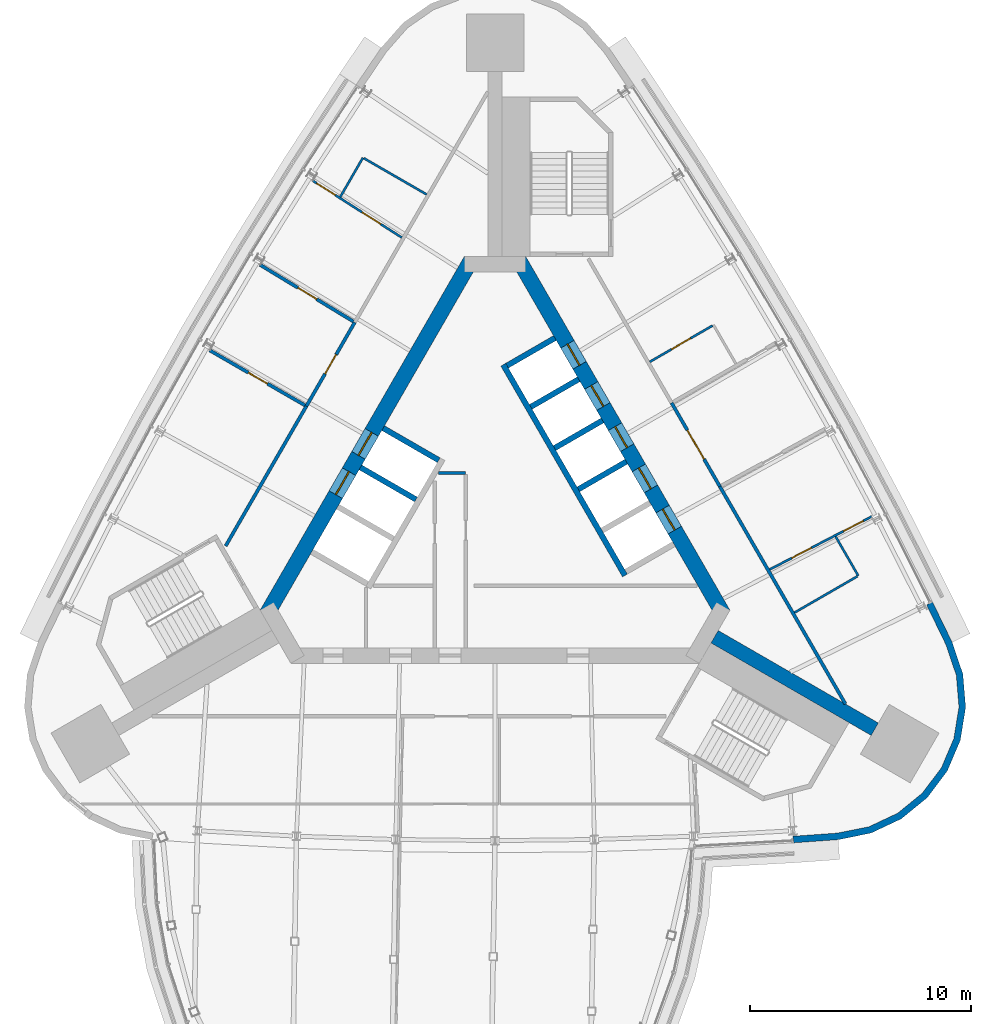
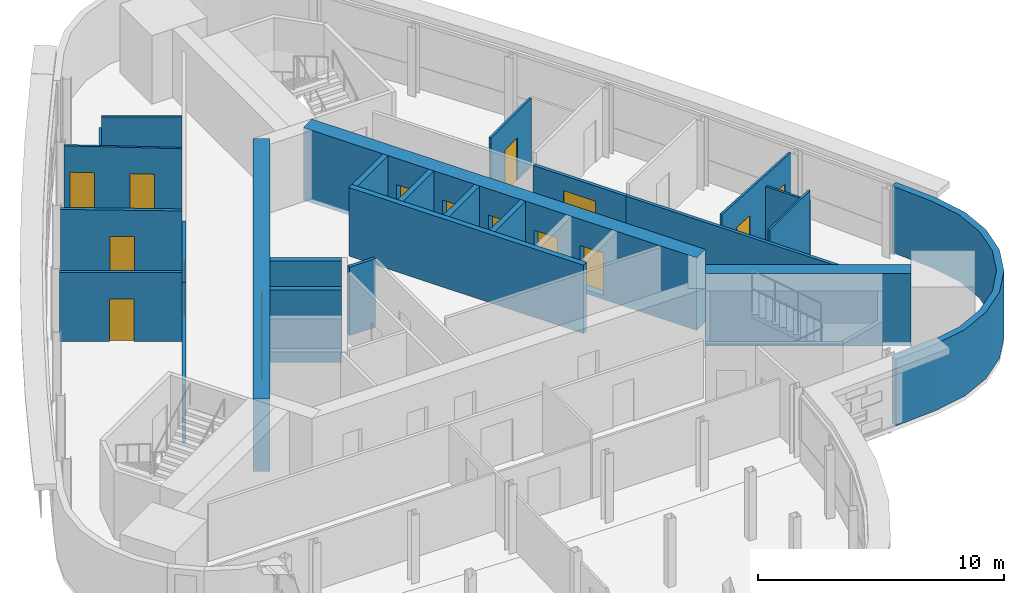
# One storey, part 10 of 14: 25 walls, 16 doors, 16 openings.
"""IFC4 building model written with IfcOpenShell, lengths in metres."""

from ifc_helpers import new_model, si_unit, direction, frame, frame_2d, origin, place, context, subcontext, project, spatial, polyline, rectangle, outline, extrude, material, layer, layer_set, type_object, element, fill, save


model = new_model("IFC4")

# Units and contexts
model_context = context("Model", 3, precision=1e-05, world=origin(), true_north=direction((0.0, 1.0)))
body_context = subcontext(model_context, "Body", "Model", "MODEL_VIEW")
ifc_project = project(units=[si_unit("LENGTHUNIT", "METRE"), si_unit("AREAUNIT", "SQUARE_METRE"), si_unit("VOLUMEUNIT", "CUBIC_METRE"), si_unit("PLANEANGLEUNIT", "RADIAN"), si_unit("MASSUNIT", "GRAM", prefix="KILO")], contexts=[model_context])

# Site, building, storey
site_placement = place(None, origin())
site = spatial("IfcSite", under=ifc_project, at=site_placement, CompositionType="ELEMENT")
building_placement = place(site_placement, origin())
building = spatial("IfcBuilding", under=site, at=building_placement, Name="Noor Cloister Tower", CompositionType="ELEMENT")
storey_placement = place(building_placement, frame((0.0, 0.0, 218.39990234375)))
storey = spatial("IfcBuildingStorey", under=building, at=storey_placement, Name="L56", CompositionType="ELEMENT", Elevation=218.39990234375)

# Walls
ifc_material_1 = material(Name="Concrete C60/75", Category="concrete")
ifc_layer_1 = layer(ifc_material_1, 0.64990234375)
ifc_layer_set_1 = layer_set([ifc_layer_1], Name="Buttress wall 650 C60/75")
wall_type_1 = type_object("IfcWallType", Name="Buttress wall 650 C60/75", PredefinedType="SHEAR", material=ifc_layer_set_1)
wall_1_placement = place(storey_placement, frame((9.921630859375, -5.728271484375, -0.199951171875), z_axis=(0.0, 0.0, 1.0), x_axis=(0.866030911543, -0.499990460161, 0.0)))
element("IfcWall", 1, at=wall_1_placement, inside=storey, type_object=wall_type_1, Name="Buttress wall SE L56", PredefinedType="SHEAR", context=body_context, shape_type="SweptSolid", body=[
    extrude(rectangle(XDim=8.358642578125, YDim=0.64990234375, at=frame_2d((4.17919921875, 0.0))), origin(), (0.0, 0.0, 1.0), 3.60009765625),
])
ifc_material_2 = material(Name="Concrete C30/37", Category="concrete")
ifc_layer_2 = layer(ifc_material_2, 0.14990234375)
ifc_layer_set_2 = layer_set([ifc_layer_2], Name="Core partition 150 C30/37")
wall_type_2 = type_object("IfcWallType", Name="Core partition 150 C30/37", PredefinedType="PARTITIONING", material=ifc_layer_set_2)
wall_2_placement = place(storey_placement, frame((-2.544189453125, 1.671875, 0.0), z_axis=(0.0, 0.0, 1.0), x_axis=(1.0, 0.0, 0.0)))
element("IfcWall", 2, at=wall_2_placement, inside=storey, type_object=wall_type_2, Name="Core room partition L56 4", PredefinedType="PARTITIONING", context=body_context, shape_type="SweptSolid", body=[
    extrude(rectangle(XDim=1.215576171875, YDim=0.14990234375, at=frame_2d((0.60791015625, 0.0))), origin(), (0.0, 0.0, 1.0), 3.400146484375),
])

# Wall, openings, doors
ifc_material_3 = material(Name="Concrete C60/75", Category="concrete")
ifc_layer_3 = layer(ifc_material_3, 0.699951171875)
ifc_layer_set_3 = layer_set([ifc_layer_3], Name="Core wall 700 C60/75")
wall_type_3 = type_object("IfcWallType", Name="Core wall 700 C60/75", PredefinedType="SHEAR", material=ifc_layer_set_3)
wall_3_placement = place(storey_placement, frame((10.311279296875, -4.703125, -0.199951171875), z_axis=(0.0, 0.0, 1.0), x_axis=(-0.500001446645, 0.866024568562, 0.0)))
wall_3 = element("IfcWall", 3, at=wall_3_placement, inside=storey, type_object=wall_type_3, Name="Core wall L56 3", PredefinedType="SHEAR", context=body_context, shape_type="SweptSolid", body=[
    extrude(rectangle(XDim=18.45751953125, YDim=0.699951171875, at=frame_2d((9.228759765625, 0.0))), origin(), (0.0, 0.0, 1.0), 3.60009765625),
])
opening_1_placement = place(wall_3_placement, frame((4.378662109375, 0.0, 0.199951171875)))
opening_1 = element("IfcOpeningElement", 4, at=opening_1_placement, cuts=wall_3, Name="Opening L56-HR1", PredefinedType="OPENING", context=body_context, shape_type="SweptSolid", body=[
    extrude(rectangle(XDim=1.10009765625, YDim=2.10009765625, at=frame_2d((0.550048828125, 1.050048828125))), frame((0.0, 0.35986328125, 0.0), z_axis=(0.0, -1.0, 0.0), x_axis=(1.0, 0.0, 0.0)), (0.0, 0.0, 1.0), 0.719970703125),
])
opening_2_placement = place(wall_3_placement, frame((6.52880859375, 0.0, 0.199951171875)))
opening_2 = element("IfcOpeningElement", 5, at=opening_2_placement, cuts=wall_3, Name="Opening L56-HR2", PredefinedType="OPENING", context=body_context, shape_type="SweptSolid", body=[
    extrude(rectangle(XDim=1.10009765625, YDim=2.10009765625, at=frame_2d((0.550048828125, 1.050048828125))), frame((0.0, 0.35986328125, 0.0), z_axis=(0.0, -1.0, 0.0), x_axis=(1.0, 0.0, 0.0)), (0.0, 0.0, 1.0), 0.719970703125),
])
opening_3_placement = place(wall_3_placement, frame((8.6787109375, 0.0, 0.199951171875)))
opening_3 = element("IfcOpeningElement", 6, at=opening_3_placement, cuts=wall_3, Name="Opening L56-HR3", PredefinedType="OPENING", context=body_context, shape_type="SweptSolid", body=[
    extrude(rectangle(XDim=1.10009765625, YDim=2.10009765625, at=frame_2d((0.550048828125, 1.050048828125))), frame((0.0, 0.35986328125, 0.0), z_axis=(0.0, -1.0, 0.0), x_axis=(1.0, 0.0, 0.0)), (0.0, 0.0, 1.0), 0.719970703125),
])
opening_4_placement = place(wall_3_placement, frame((10.82861328125, 0.0, 0.199951171875)))
opening_4 = element("IfcOpeningElement", 7, at=opening_4_placement, cuts=wall_3, Name="Opening L56-HR4", PredefinedType="OPENING", context=body_context, shape_type="SweptSolid", body=[
    extrude(rectangle(XDim=1.10009765625, YDim=2.10009765625, at=frame_2d((0.550048828125, 1.050048828125))), frame((0.0, 0.35986328125, 0.0), z_axis=(0.0, -1.0, 0.0), x_axis=(1.0, 0.0, 0.0)), (0.0, 0.0, 1.0), 0.719970703125),
])
opening_5_placement = place(wall_3_placement, frame((12.978759765625, 0.0, 0.199951171875)))
opening_5 = element("IfcOpeningElement", 8, at=opening_5_placement, cuts=wall_3, Name="Opening L56-HR5", PredefinedType="OPENING", context=body_context, shape_type="SweptSolid", body=[
    extrude(rectangle(XDim=1.10009765625, YDim=2.10009765625, at=frame_2d((0.550048828125, 1.050048828125))), frame((0.0, 0.35986328125, 0.0), z_axis=(0.0, -1.0, 0.0), x_axis=(1.0, 0.0, 0.0)), (0.0, 0.0, 1.0), 0.719970703125),
])
ifc_material_4 = material(Name="Stainless steel", Category="steel")
door_type_1 = type_object("IfcDoorType", Name="Lift landing door 1100 x 2100", OperationType="DOUBLE_DOOR_SLIDING", PredefinedType="DOOR", material=ifc_material_4)
door_1_placement = place(opening_1_placement, origin())
door_1 = element("IfcDoor", 9, at=door_1_placement, inside=storey, type_object=door_type_1, Name="Landing door HR1 L56", OperationType="DOUBLE_DOOR_SLIDING", OverallHeight=2.10009765625, OverallWidth=1.10009765625, PredefinedType="DOOR", context=body_context, shape_type="SweptSolid", body=[
    extrude(rectangle(XDim=1.10009765625, YDim=2.10009765625, at=frame_2d((0.550048828125, 1.050048828125))), frame((0.0, 0.02490234375, 0.0), z_axis=(0.0, -1.0, 0.0), x_axis=(1.0, 0.0, 0.0)), (0.0, 0.0, 1.0), 0.050048828125),
])
fill(opening_1, door_1)
door_2_placement = place(opening_2_placement, origin())
door_2 = element("IfcDoor", 10, at=door_2_placement, inside=storey, type_object=door_type_1, Name="Landing door HR2 L56", OperationType="DOUBLE_DOOR_SLIDING", OverallHeight=2.10009765625, OverallWidth=1.10009765625, PredefinedType="DOOR", context=body_context, shape_type="SweptSolid", body=[
    extrude(rectangle(XDim=1.10009765625, YDim=2.10009765625, at=frame_2d((0.550048828125, 1.050048828125))), frame((0.0, 0.02490234375, 0.0), z_axis=(0.0, -1.0, 0.0), x_axis=(1.0, 0.0, 0.0)), (0.0, 0.0, 1.0), 0.050048828125),
])
fill(opening_2, door_2)
door_3_placement = place(opening_3_placement, origin())
door_3 = element("IfcDoor", 11, at=door_3_placement, inside=storey, type_object=door_type_1, Name="Landing door HR3 L56", OperationType="DOUBLE_DOOR_SLIDING", OverallHeight=2.10009765625, OverallWidth=1.10009765625, PredefinedType="DOOR", context=body_context, shape_type="SweptSolid", body=[
    extrude(rectangle(XDim=1.10009765625, YDim=2.10009765625, at=frame_2d((0.550048828125, 1.050048828125))), frame((0.0, 0.02490234375, 0.0), z_axis=(0.0, -1.0, 0.0), x_axis=(1.0, 0.0, 0.0)), (0.0, 0.0, 1.0), 0.050048828125),
])
fill(opening_3, door_3)
door_4_placement = place(opening_4_placement, origin())
door_4 = element("IfcDoor", 12, at=door_4_placement, inside=storey, type_object=door_type_1, Name="Landing door HR4 L56", OperationType="DOUBLE_DOOR_SLIDING", OverallHeight=2.10009765625, OverallWidth=1.10009765625, PredefinedType="DOOR", context=body_context, shape_type="SweptSolid", body=[
    extrude(rectangle(XDim=1.10009765625, YDim=2.10009765625, at=frame_2d((0.550048828125, 1.050048828125))), frame((0.0, 0.02490234375, 0.0), z_axis=(0.0, -1.0, 0.0), x_axis=(1.0, 0.0, 0.0)), (0.0, 0.0, 1.0), 0.050048828125),
])
fill(opening_4, door_4)
door_5_placement = place(opening_5_placement, origin())
door_5 = element("IfcDoor", 13, at=door_5_placement, inside=storey, type_object=door_type_1, Name="Landing door HR5 L56", OperationType="DOUBLE_DOOR_SLIDING", OverallHeight=2.10009765625, OverallWidth=1.10009765625, PredefinedType="DOOR", context=body_context, shape_type="SweptSolid", body=[
    extrude(rectangle(XDim=1.10009765625, YDim=2.10009765625, at=frame_2d((0.550048828125, 1.050048828125))), frame((0.0, 0.02490234375, 0.0), z_axis=(0.0, -1.0, 0.0), x_axis=(1.0, 0.0, 0.0)), (0.0, 0.0, 1.0), 0.050048828125),
])
fill(opening_5, door_5)

wall_4_placement = place(storey_placement, frame((-1.08251953125, 11.281494140625, -0.199951171875), z_axis=(0.0, 0.0, 1.0), x_axis=(-0.500001446645, -0.866024568562, 0.0)))
wall_4 = element("IfcWall", 14, at=wall_4_placement, inside=storey, type_object=wall_type_3, Name="Core wall L56 5", PredefinedType="SHEAR", context=body_context, shape_type="SweptSolid", body=[
    extrude(rectangle(XDim=18.45751953125, YDim=0.699951171875, at=frame_2d((9.228759765625, 0.0))), origin(), (0.0, 0.0, 1.0), 3.60009765625),
])
opening_6_placement = place(wall_4_placement, frame((8.978759765625, 0.0, 0.199951171875)))
opening_6 = element("IfcOpeningElement", 15, at=opening_6_placement, cuts=wall_4, Name="Opening L56-FF1", PredefinedType="OPENING", context=body_context, shape_type="SweptSolid", body=[
    extrude(rectangle(XDim=1.199951171875, YDim=2.10009765625, at=frame_2d((0.60009765625, 1.050048828125))), frame((0.0, 0.35986328125, 0.0), z_axis=(0.0, -1.0, 0.0), x_axis=(1.0, 0.0, 0.0)), (0.0, 0.0, 1.0), 0.719970703125),
])
opening_7_placement = place(wall_4_placement, frame((11.02880859375, 0.0, 0.199951171875)))
opening_7 = element("IfcOpeningElement", 16, at=opening_7_placement, cuts=wall_4, Name="Opening L56-FF2", PredefinedType="OPENING", context=body_context, shape_type="SweptSolid", body=[
    extrude(rectangle(XDim=1.199951171875, YDim=2.10009765625, at=frame_2d((0.60009765625, 1.050048828125))), frame((0.0, 0.35986328125, 0.0), z_axis=(0.0, -1.0, 0.0), x_axis=(1.0, 0.0, 0.0)), (0.0, 0.0, 1.0), 0.719970703125),
])
ifc_material_5 = material(Name="Stainless steel", Category="steel")
door_type_2 = type_object("IfcDoorType", Name="Lift landing door 1200 x 2100", OperationType="DOUBLE_DOOR_SLIDING", PredefinedType="DOOR", material=ifc_material_5)
door_6_placement = place(opening_6_placement, origin())
door_6 = element("IfcDoor", 17, at=door_6_placement, inside=storey, type_object=door_type_2, Name="Landing door FF1 L56", OperationType="DOUBLE_DOOR_SLIDING", OverallHeight=2.10009765625, OverallWidth=1.199951171875, PredefinedType="DOOR", context=body_context, shape_type="SweptSolid", body=[
    extrude(rectangle(XDim=1.199951171875, YDim=2.10009765625, at=frame_2d((0.60009765625, 1.050048828125))), frame((0.0, 0.02490234375, 0.0), z_axis=(0.0, -1.0, 0.0), x_axis=(1.0, 0.0, 0.0)), (0.0, 0.0, 1.0), 0.050048828125),
])
fill(opening_6, door_6)
door_7_placement = place(opening_7_placement, origin())
door_7 = element("IfcDoor", 18, at=door_7_placement, inside=storey, type_object=door_type_2, Name="Landing door FF2 L56", OperationType="DOUBLE_DOOR_SLIDING", OverallHeight=2.10009765625, OverallWidth=1.199951171875, PredefinedType="DOOR", context=body_context, shape_type="SweptSolid", body=[
    extrude(rectangle(XDim=1.199951171875, YDim=2.10009765625, at=frame_2d((0.60009765625, 1.050048828125))), frame((0.0, 0.02490234375, 0.0), z_axis=(0.0, -1.0, 0.0), x_axis=(1.0, 0.0, 0.0)), (0.0, 0.0, 1.0), 0.050048828125),
])
fill(opening_7, door_7)

# Wall
ifc_material_6 = material(Name="Fire-rated gypsum board partition on steel studs, 150 mm", Category="steel")
ifc_layer_4 = layer(ifc_material_6, 0.14990234375)
ifc_layer_set_4 = layer_set([ifc_layer_4], Name="Fire lobby wall 150")
wall_type_4 = type_object("IfcWallType", Name="Fire lobby wall 150", PredefinedType="PARTITIONING", material=ifc_layer_set_4)
wall_5_placement = place(storey_placement, frame((-8.52490234375, 4.69091796875, 0.0), z_axis=(0.0, 0.0, 1.0), x_axis=(-0.499986021771, -0.866033473968, 0.0)))
element("IfcWall", 19, at=wall_5_placement, inside=storey, type_object=wall_type_4, Name="Wall L56-W19", PredefinedType="PARTITIONING", context=body_context, shape_type="SweptSolid", body=[
    extrude(rectangle(XDim=7.296630859375, YDim=0.14990234375, at=frame_2d((3.6484375, 0.0))), origin(), (0.0, 0.0, 1.0), 2.85205078125),
])

# Wall, opening, door
wall_6_placement = place(storey_placement, frame((-6.33837890625, 8.47802734375, 0.0), z_axis=(0.0, 0.0, 1.0), x_axis=(-0.500005971936, -0.866021955858, 0.0)))
wall_6 = element("IfcWall", 20, at=wall_6_placement, inside=storey, type_object=wall_type_4, Name="Wall L56-W22", PredefinedType="PARTITIONING", context=body_context, shape_type="SweptSolid", body=[
    extrude(rectangle(XDim=4.373046875, YDim=0.14990234375, at=frame_2d((2.1865234375, 0.0))), origin(), (0.0, 0.0, 1.0), 2.85205078125),
])
opening_8_placement = place(wall_6_placement, frame((1.6865234375, 0.0, 0.0)))
opening_8 = element("IfcOpeningElement", 21, at=opening_8_placement, cuts=wall_6, Name="Opening L56-013", PredefinedType="OPENING", context=body_context, shape_type="SweptSolid", body=[
    extrude(rectangle(XDim=1.0, YDim=2.10009765625, at=frame_2d((0.5, 1.050048828125))), frame((0.0, 0.0849609375, 0.0), z_axis=(0.0, -1.0, 0.0), x_axis=(1.0, 0.0, 0.0)), (0.0, 0.0, 1.0), 0.169921875),
])
ifc_material_7 = material(Name="Timber door leaf with steel frame", Category="steel")
door_type_3 = type_object("IfcDoorType", Name="Fire lobby door 1000", OperationType="NOTDEFINED", PredefinedType="DOOR", material=ifc_material_7)
door_8_placement = place(opening_8_placement, origin())
door_8 = element("IfcDoor", 22, at=door_8_placement, inside=storey, type_object=door_type_3, Name="Door L56-013", OperationType="SINGLE_SWING_LEFT", OverallHeight=2.10009765625, OverallWidth=1.0, PredefinedType="DOOR", context=body_context, shape_type="SweptSolid", body=[
    extrude(rectangle(XDim=1.0, YDim=2.10009765625, at=frame_2d((0.5, 1.050048828125))), frame((0.0, 0.02490234375, 0.0), z_axis=(0.0, -1.0, 0.0), x_axis=(1.0, 0.0, 0.0)), (0.0, 0.0, 1.0), 0.050048828125),
])
fill(opening_8, door_8)

# Wall
ifc_material_8 = material(Name="Gypsum board partition on steel studs, 150 mm", Category="steel")
ifc_layer_5 = layer(ifc_material_8, 0.14990234375)
ifc_layer_set_5 = layer_set([ifc_layer_5], Name="Flat wall 150")
wall_type_5 = type_object("IfcWallType", Name="Flat wall 150", PredefinedType="PARTITIONING", material=ifc_layer_set_5)
wall_7_placement = place(storey_placement, frame((15.83203125, -8.765380859375, 0.0), z_axis=(0.0, 0.0, 1.0), x_axis=(-0.500005035328, 0.866022496617, 0.0)))
element("IfcWall", 23, at=wall_7_placement, inside=storey, type_object=wall_type_5, Name="Wall L56-W01", PredefinedType="PARTITIONING", context=body_context, shape_type="SweptSolid", body=[
    extrude(rectangle(XDim=11.3427734375, YDim=0.14990234375, at=frame_2d((5.67138671875, 0.0))), origin(), (0.0, 0.0, 1.0), 2.85205078125),
])

# Wall, opening, door
wall_8_placement = place(storey_placement, frame((10.16064453125, 1.0576171875, 0.0), z_axis=(0.0, 0.0, 1.0), x_axis=(-0.499977476193, 0.86603840752, 0.0)))
wall_8 = element("IfcWall", 24, at=wall_8_placement, inside=storey, type_object=wall_type_5, Name="Wall L56-W05", PredefinedType="PARTITIONING", context=body_context, shape_type="SweptSolid", body=[
    extrude(rectangle(XDim=4.364501953125, YDim=0.14990234375, at=frame_2d((2.18212890625, 0.0))), origin(), (0.0, 0.0, 1.0), 2.85205078125),
])
opening_9_placement = place(wall_8_placement, frame((1.43212890625, 0.0, 0.0)))
opening_9 = element("IfcOpeningElement", 25, at=opening_9_placement, cuts=wall_8, Name="Opening L56-001", PredefinedType="OPENING", context=body_context, shape_type="SweptSolid", body=[
    extrude(rectangle(XDim=1.5, YDim=2.10009765625, at=frame_2d((0.75, 1.050048828125))), frame((0.0, 0.0849609375, 0.0), z_axis=(0.0, -1.0, 0.0), x_axis=(1.0, 0.0, 0.0)), (0.0, 0.0, 1.0), 0.169921875),
])
ifc_material_9 = material(Name="Timber door leaf with steel frame", Category="steel")
door_type_4 = type_object("IfcDoorType", Name="Double door 1500 FD60", OperationType="NOTDEFINED", PredefinedType="DOOR", material=ifc_material_9)
door_9_placement = place(opening_9_placement, origin())
door_9 = element("IfcDoor", 26, at=door_9_placement, inside=storey, type_object=door_type_4, Name="Door L56-001", OperationType="DOUBLE_DOOR_SINGLE_SWING", OverallHeight=2.10009765625, OverallWidth=1.5, PredefinedType="DOOR", context=body_context, shape_type="SweptSolid", body=[
    extrude(rectangle(XDim=1.5, YDim=2.10009765625, at=frame_2d((0.75, 1.050048828125))), frame((0.0, 0.02490234375, 0.0), z_axis=(0.0, -1.0, 0.0), x_axis=(1.0, 0.0, 0.0)), (0.0, 0.0, 1.0), 0.050048828125),
])
fill(opening_9, door_9)

wall_9_placement = place(storey_placement, frame((-10.625732421875, 11.081787109375, 0.0), z_axis=(0.0, 0.0, 1.0), x_axis=(0.854742891139, -0.519051625609, 0.0)))
wall_9 = element("IfcWall", 27, at=wall_9_placement, inside=storey, type_object=wall_type_5, Name="Wall L56-W20", PredefinedType="PARTITIONING", context=body_context, shape_type="SweptSolid", body=[
    extrude(rectangle(XDim=4.941162109375, YDim=0.14990234375, at=frame_2d((2.470703125, 0.0))), origin(), (0.0, 0.0, 1.0), 3.400146484375),
])
opening_10_placement = place(wall_9_placement, frame((2.008056640625, 0.0, 0.0)))
opening_10 = element("IfcOpeningElement", 28, at=opening_10_placement, cuts=wall_9, Name="Opening L56-016", PredefinedType="OPENING", context=body_context, shape_type="SweptSolid", body=[
    extrude(rectangle(XDim=1.0, YDim=2.10009765625, at=frame_2d((0.5, 1.050048828125))), frame((0.0, 0.0849609375, 0.0), z_axis=(0.0, -1.0, 0.0), x_axis=(1.0, 0.0, 0.0)), (0.0, 0.0, 1.0), 0.169921875),
])
ifc_material_10 = material(Name="Timber door leaf with steel frame", Category="steel")
door_type_5 = type_object("IfcDoorType", Name="Flat entrance door 1000", OperationType="NOTDEFINED", PredefinedType="DOOR", material=ifc_material_10)
door_10_placement = place(opening_10_placement, origin())
door_10 = element("IfcDoor", 29, at=door_10_placement, inside=storey, type_object=door_type_5, Name="Door L56-016", OperationType="SINGLE_SWING_RIGHT", OverallHeight=2.10009765625, OverallWidth=1.0, PredefinedType="DOOR", context=body_context, shape_type="SweptSolid", body=[
    extrude(rectangle(XDim=1.0, YDim=2.10009765625, at=frame_2d((0.5, 1.050048828125))), frame((0.0, 0.02490234375, 0.0), z_axis=(0.0, -1.0, 0.0), x_axis=(1.0, 0.0, 0.0)), (0.0, 0.0, 1.0), 0.050048828125),
])
fill(opening_10, door_10)

wall_10_placement = place(storey_placement, frame((-12.906982421875, 7.220947265625, 0.0), z_axis=(0.0, 0.0, 1.0), x_axis=(0.866031443676, -0.499989538455, 0.0)))
wall_10 = element("IfcWall", 30, at=wall_10_placement, inside=storey, type_object=wall_type_5, Name="Wall L56-W21", PredefinedType="PARTITIONING", context=body_context, shape_type="SweptSolid", body=[
    extrude(rectangle(XDim=4.98486328125, YDim=0.14990234375, at=frame_2d((2.492431640625, 0.0))), origin(), (0.0, 0.0, 1.0), 3.400146484375),
])
opening_11_placement = place(wall_10_placement, frame((2.030029296875, 0.0, 0.0)))
opening_11 = element("IfcOpeningElement", 31, at=opening_11_placement, cuts=wall_10, Name="Opening L56-017", PredefinedType="OPENING", context=body_context, shape_type="SweptSolid", body=[
    extrude(rectangle(XDim=1.0, YDim=2.10009765625, at=frame_2d((0.5, 1.050048828125))), frame((0.0, 0.0849609375, 0.0), z_axis=(0.0, -1.0, 0.0), x_axis=(1.0, 0.0, 0.0)), (0.0, 0.0, 1.0), 0.169921875),
])
ifc_material_11 = material(Name="Timber door leaf with steel frame", Category="steel")
door_type_6 = type_object("IfcDoorType", Name="Interior door 1000 FD60", OperationType="NOTDEFINED", PredefinedType="DOOR", material=ifc_material_11)
door_11_placement = place(opening_11_placement, origin())
door_11 = element("IfcDoor", 32, at=door_11_placement, inside=storey, type_object=door_type_6, Name="Door L56-017", OperationType="SINGLE_SWING_LEFT", OverallHeight=2.10009765625, OverallWidth=1.0, PredefinedType="DOOR", context=body_context, shape_type="SweptSolid", body=[
    extrude(rectangle(XDim=1.0, YDim=2.10009765625, at=frame_2d((0.5, 1.050048828125))), frame((0.0, 0.02490234375, 0.0), z_axis=(0.0, -1.0, 0.0), x_axis=(1.0, 0.0, 0.0)), (0.0, 0.0, 1.0), 0.050048828125),
])
fill(opening_11, door_11)

# Wall
ifc_material_12 = material(Name="Limestone", Category="masonry")
ifc_layer_6 = layer(ifc_material_12, 0.300048828125)
ifc_layer_set_6 = layer_set([ifc_layer_6], Name="Limestone cladding 300")
wall_type_6 = type_object("IfcWallType", Name="Limestone cladding 300", PredefinedType="NOTDEFINED", material=ifc_layer_set_6)
wall_11_placement = place(storey_placement, origin())
element("IfcWall", 33, at=wall_11_placement, inside=storey, type_object=wall_type_6, Name="Limestone pier cladding L56 2.1", PredefinedType="NOTDEFINED", context=body_context, shape_type="SweptSolid", body=[
    extrude(outline(polyline([(13.489990234375, -15.04248046875), (15.50732421875, -14.898193359375), (16.988037109375, -14.6015625), (18.354248046875, -13.957763671875), (19.52587890625, -13.00439453125), (20.433837890625, -11.79736328125), (21.02490234375, -10.40771484375), (21.264892578125, -8.91650390625), (21.139404296875, -7.411376953125), (20.65576171875, -5.98046875), (19.772216796875, -4.16162109375), (19.50244140625, -4.292724609375), (20.377685546875, -6.094482421875), (20.843505859375, -7.47265625), (20.962890625, -8.905029296875), (20.734619140625, -10.323974609375), (20.171875, -11.646240234375), (19.30810546875, -12.794677734375), (18.193359375, -13.701904296875), (16.893310546875, -14.314697265625), (15.467041015625, -14.600341796875), (13.46875, -14.7431640625), (13.489990234375, -15.04248046875)])), origin(), (0.0, 0.0, 1.0), 3.300048828125),
])

# Wall, openings, doors
ifc_material_13 = material(Name="Gypsum board partition on steel studs, 100 mm", Category="steel")
ifc_layer_7 = layer(ifc_material_13, 0.10009765625)
ifc_layer_set_7 = layer_set([ifc_layer_7], Name="Partition 100")
wall_type_7 = type_object("IfcWallType", Name="Partition 100", PredefinedType="PARTITIONING", material=ifc_layer_set_7)
wall_12_placement = place(storey_placement, frame((17.02587890625, -0.29248046875, 0.0), z_axis=(0.0, 0.0, 1.0), x_axis=(-0.887303639302, -0.461185701947, 0.0)))
wall_12 = element("IfcWall", 34, at=wall_12_placement, inside=storey, type_object=wall_type_7, Name="Wall L56-W06", PredefinedType="PARTITIONING", context=body_context, shape_type="SweptSolid", body=[
    extrude(rectangle(XDim=5.20068359375, YDim=0.10009765625, at=frame_2d((2.600341796875, 0.0))), origin(), (0.0, 0.0, 1.0), 3.400146484375),
])
opening_12_placement = place(wall_12_placement, frame((0.43603515625, 0.0, 0.0)))
opening_12 = element("IfcOpeningElement", 35, at=opening_12_placement, cuts=wall_12, Name="Opening L56-002", PredefinedType="OPENING", context=body_context, shape_type="SweptSolid", body=[
    extrude(rectangle(XDim=1.0, YDim=2.10009765625, at=frame_2d((0.5, 1.050048828125))), frame((0.0, 0.06005859375, 0.0), z_axis=(0.0, -1.0, 0.0), x_axis=(1.0, 0.0, 0.0)), (0.0, 0.0, 1.0), 0.1201171875),
])
opening_13_placement = place(wall_12_placement, frame((3.073974609375, 0.0, 0.0)))
opening_13 = element("IfcOpeningElement", 36, at=opening_13_placement, cuts=wall_12, Name="Opening L56-003", PredefinedType="OPENING", context=body_context, shape_type="SweptSolid", body=[
    extrude(rectangle(XDim=1.0, YDim=2.10009765625, at=frame_2d((0.5, 1.050048828125))), frame((0.0, 0.06005859375, 0.0), z_axis=(0.0, -1.0, 0.0), x_axis=(1.0, 0.0, 0.0)), (0.0, 0.0, 1.0), 0.1201171875),
])
ifc_material_14 = material(Name="Timber door leaf with steel frame", Category="steel")
door_type_7 = type_object("IfcDoorType", Name="Interior door 1000", OperationType="NOTDEFINED", PredefinedType="DOOR", material=ifc_material_14)
door_12_placement = place(opening_12_placement, origin())
door_12 = element("IfcDoor", 37, at=door_12_placement, inside=storey, type_object=door_type_7, Name="Door L56-002", OperationType="SINGLE_SWING_RIGHT", OverallHeight=2.10009765625, OverallWidth=1.0, PredefinedType="DOOR", context=body_context, shape_type="SweptSolid", body=[
    extrude(rectangle(XDim=1.0, YDim=2.10009765625, at=frame_2d((0.5, 1.050048828125))), frame((0.0, 0.02490234375, 0.0), z_axis=(0.0, -1.0, 0.0), x_axis=(1.0, 0.0, 0.0)), (0.0, 0.0, 1.0), 0.050048828125),
])
fill(opening_12, door_12)
door_13_placement = place(opening_13_placement, origin())
door_13 = element("IfcDoor", 38, at=door_13_placement, inside=storey, type_object=door_type_7, Name="Door L56-003", OperationType="SINGLE_SWING_LEFT", OverallHeight=2.10009765625, OverallWidth=1.0, PredefinedType="DOOR", context=body_context, shape_type="SweptSolid", body=[
    extrude(rectangle(XDim=1.0, YDim=2.10009765625, at=frame_2d((0.5, 1.050048828125))), frame((0.0, 0.02490234375, 0.0), z_axis=(0.0, -1.0, 0.0), x_axis=(1.0, 0.0, 0.0)), (0.0, 0.0, 1.0), 0.050048828125),
])
fill(opening_13, door_13)

# Walls
wall_13_placement = place(storey_placement, frame((15.3896484375, -1.19921875, 0.0), z_axis=(0.0, 0.0, 1.0), x_axis=(0.499956128963, -0.866050731258, 0.0)))
element("IfcWall", 39, at=wall_13_placement, inside=storey, type_object=wall_type_7, Name="Wall L56-W07", PredefinedType="PARTITIONING", context=body_context, shape_type="SweptSolid", body=[
    extrude(rectangle(XDim=2.050048828125, YDim=0.10009765625, at=frame_2d((1.02490234375, 0.0))), origin(), (0.0, 0.0, 1.0), 2.85205078125),
])
wall_14_placement = place(storey_placement, frame((16.371337890625, -2.99951171875, 0.0), z_axis=(0.0, 0.0, 1.0), x_axis=(-0.866027924134, -0.499995634601, 0.0)))
element("IfcWall", 40, at=wall_14_placement, inside=storey, type_object=wall_type_7, Name="Wall L56-W08", PredefinedType="PARTITIONING", context=body_context, shape_type="SweptSolid", body=[
    extrude(rectangle(XDim=3.27490234375, YDim=0.10009765625, at=frame_2d((1.637451171875, 0.0))), origin(), (0.0, 0.0, 1.0), 3.400146484375),
])

# Wall, opening, door
wall_15_placement = place(storey_placement, frame((9.82958984375, 8.3310546875, 0.0), z_axis=(0.0, 0.0, 1.0), x_axis=(-0.865995643347, -0.500051543047, 0.0)))
wall_15 = element("IfcWall", 41, at=wall_15_placement, inside=storey, type_object=wall_type_7, Name="Wall L56-W10", PredefinedType="PARTITIONING", context=body_context, shape_type="SweptSolid", body=[
    extrude(rectangle(XDim=3.275146484375, YDim=0.10009765625, at=frame_2d((1.6376953125, 0.0))), origin(), (0.0, 0.0, 1.0), 3.400146484375),
])
opening_14_placement = place(wall_15_placement, frame((1.14990234375, 0.0, 0.0)))
opening_14 = element("IfcOpeningElement", 42, at=opening_14_placement, cuts=wall_15, Name="Opening L56-005", PredefinedType="OPENING", context=body_context, shape_type="SweptSolid", body=[
    extrude(rectangle(XDim=1.0, YDim=2.10009765625, at=frame_2d((0.5, 1.050048828125))), frame((0.0, 0.06005859375, 0.0), z_axis=(0.0, -1.0, 0.0), x_axis=(1.0, 0.0, 0.0)), (0.0, 0.0, 1.0), 0.1201171875),
])
door_14_placement = place(opening_14_placement, origin())
door_14 = element("IfcDoor", 43, at=door_14_placement, inside=storey, type_object=door_type_7, Name="Door L56-005", OperationType="SINGLE_SWING_LEFT", OverallHeight=2.10009765625, OverallWidth=1.0, PredefinedType="DOOR", context=body_context, shape_type="SweptSolid", body=[
    extrude(rectangle(XDim=1.0, YDim=2.10009765625, at=frame_2d((0.5, 1.050048828125))), frame((0.0, 0.02490234375, 0.0), z_axis=(0.0, -1.0, 0.0), x_axis=(1.0, 0.0, 0.0)), (0.0, 0.0, 1.0), 0.050048828125),
])
fill(opening_14, door_14)

# Wall, openings, doors
wall_16_placement = place(storey_placement, frame((-8.259765625, 14.89111328125, 0.0), z_axis=(0.0, 0.0, 1.0), x_axis=(0.843047331612, -0.537839378125, 0.0)))
wall_16 = element("IfcWall", 44, at=wall_16_placement, inside=storey, type_object=wall_type_7, Name="Wall L56-W23", PredefinedType="PARTITIONING", context=body_context, shape_type="SweptSolid", body=[
    extrude(rectangle(XDim=4.80029296875, YDim=0.10009765625, at=frame_2d((2.400146484375, 0.0))), origin(), (0.0, 0.0, 1.0), 3.400146484375),
])
opening_15_placement = place(wall_16_placement, frame((0.23583984375, 0.0, 0.0)))
opening_15 = element("IfcOpeningElement", 45, at=opening_15_placement, cuts=wall_16, Name="Opening L56-014", PredefinedType="OPENING", context=body_context, shape_type="SweptSolid", body=[
    extrude(rectangle(XDim=1.0, YDim=2.10009765625, at=frame_2d((0.5, 1.050048828125))), frame((0.0, 0.06005859375, 0.0), z_axis=(0.0, -1.0, 0.0), x_axis=(1.0, 0.0, 0.0)), (0.0, 0.0, 1.0), 0.1201171875),
])
opening_16_placement = place(wall_16_placement, frame((2.673583984375, 0.0, 0.0)))
opening_16 = element("IfcOpeningElement", 46, at=opening_16_placement, cuts=wall_16, Name="Opening L56-015", PredefinedType="OPENING", context=body_context, shape_type="SweptSolid", body=[
    extrude(rectangle(XDim=1.0, YDim=2.10009765625, at=frame_2d((0.5, 1.050048828125))), frame((0.0, 0.06005859375, 0.0), z_axis=(0.0, -1.0, 0.0), x_axis=(1.0, 0.0, 0.0)), (0.0, 0.0, 1.0), 0.1201171875),
])
door_15_placement = place(opening_15_placement, origin())
door_15 = element("IfcDoor", 47, at=door_15_placement, inside=storey, type_object=door_type_7, Name="Door L56-014", OperationType="SINGLE_SWING_RIGHT", OverallHeight=2.10009765625, OverallWidth=1.0, PredefinedType="DOOR", context=body_context, shape_type="SweptSolid", body=[
    extrude(rectangle(XDim=1.0, YDim=2.10009765625, at=frame_2d((0.5, 1.050048828125))), frame((0.0, 0.02490234375, 0.0), z_axis=(0.0, -1.0, 0.0), x_axis=(1.0, 0.0, 0.0)), (0.0, 0.0, 1.0), 0.050048828125),
])
fill(opening_15, door_15)
door_16_placement = place(opening_16_placement, origin())
door_16 = element("IfcDoor", 48, at=door_16_placement, inside=storey, type_object=door_type_7, Name="Door L56-015", OperationType="SINGLE_SWING_LEFT", OverallHeight=2.10009765625, OverallWidth=1.0, PredefinedType="DOOR", context=body_context, shape_type="SweptSolid", body=[
    extrude(rectangle(XDim=1.0, YDim=2.10009765625, at=frame_2d((0.5, 1.050048828125))), frame((0.0, 0.02490234375, 0.0), z_axis=(0.0, -1.0, 0.0), x_axis=(1.0, 0.0, 0.0)), (0.0, 0.0, 1.0), 0.050048828125),
])
fill(opening_16, door_16)

# Walls
wall_17_placement = place(storey_placement, frame((-6.993896484375, 14.142822265625, 0.0), z_axis=(0.0, 0.0, 1.0), x_axis=(0.500097020274, 0.865969381856, 0.0)))
element("IfcWall", 49, at=wall_17_placement, inside=storey, type_object=wall_type_7, Name="Wall L56-W24", PredefinedType="PARTITIONING", context=body_context, shape_type="SweptSolid", body=[
    extrude(rectangle(XDim=2.0498046875, YDim=0.10009765625, at=frame_2d((1.02490234375, 0.0))), origin(), (0.0, 0.0, 1.0), 2.85205078125),
])
wall_18_placement = place(storey_placement, frame((-5.925537109375, 15.89306640625, 0.0), z_axis=(0.0, 0.0, 1.0), x_axis=(0.866027924134, -0.499995634601, 0.0)))
element("IfcWall", 50, at=wall_18_placement, inside=storey, type_object=wall_type_7, Name="Wall L56-W25", PredefinedType="PARTITIONING", context=body_context, shape_type="SweptSolid", body=[
    extrude(rectangle(XDim=3.27490234375, YDim=0.10009765625, at=frame_2d((1.637451171875, 0.0))), origin(), (0.0, 0.0, 1.0), 3.400146484375),
])
ifc_material_15 = material(Name="Concrete C60/75", Category="concrete")
ifc_layer_8 = layer(ifc_material_15, 0.25)
ifc_layer_set_8 = layer_set([ifc_layer_8], Name="Shaft wall 250 C60/75")
wall_type_8 = type_object("IfcWallType", Name="Shaft wall 250 C60/75", PredefinedType="PARTITIONING", material=ifc_layer_set_8)
wall_19_placement = place(storey_placement, frame((5.931396484375, 2.18310546875, -0.199951171875), z_axis=(0.0, 0.0, 1.0), x_axis=(-0.866047370643, -0.499961950354, 0.0)))
element("IfcWall", 51, at=wall_19_placement, inside=storey, type_object=wall_type_8, Name="Lift shaft wall L56 NE 3", PredefinedType="PARTITIONING", context=body_context, shape_type="SweptSolid", body=[
    extrude(rectangle(XDim=2.500244140625, YDim=0.25, at=frame_2d((1.25, 0.0))), origin(), (0.0, 0.0, 1.0), 3.60009765625),
])
for number, where, z_axis, x_axis, name in (
    (52, (4.856201171875, 4.045166015625, -0.199951171875), (0.0, 0.0, 1.0), (-0.866022959057, -0.500004234368, 0.0), "Lift shaft wall L56 NE 4"),
    (53, (3.78125, 5.906982421875, -0.199951171875), (0.0, 0.0, 1.0), (-0.866022959057, -0.500004234368, 0.0), "Lift shaft wall L56 NE 5"),
    (54, (2.706298828125, 7.76904296875, -0.199951171875), (0.0, 0.0, 1.0), (-0.866022959057, -0.500004234368, 0.0), "Lift shaft wall L56 NE 6"),
):
    element("IfcWall", number, at=place(storey_placement, frame(where, z_axis=z_axis, x_axis=x_axis)), inside=storey, type_object=wall_type_8, Name=name, PredefinedType="PARTITIONING", context=body_context, shape_type="SweptSolid", body=[
        extrude(rectangle(XDim=2.5, YDim=0.25, at=frame_2d((1.25, 0.0))), origin(), (0.0, 0.0, 1.0), 3.60009765625),
    ])
wall_20_placement = place(storey_placement, frame((5.870361328125, -2.96142578125, 0.0), z_axis=(0.0, 0.0, 1.0), x_axis=(-0.50000615651, 0.866021849293, 0.0)))
element("IfcWall", 55, at=wall_20_placement, inside=storey, type_object=wall_type_8, Name="Lift shaft back wall L56 NE", PredefinedType="PARTITIONING", context=body_context, shape_type="SweptSolid", body=[
    extrude(rectangle(XDim=10.999755859375, YDim=0.25, at=frame_2d((5.5, 0.0))), origin(), (0.0, 0.0, 1.0), 3.400146484375),
])
for number, where, z_axis, x_axis, name in (
    (56, (-5.056396484375, 3.69873046875, -0.199951171875), (0.0, 0.0, 1.0), (0.866032775405, -0.499987231761, 0.0), "Lift shaft wall L56 NW 3"),
    (57, (-6.081298828125, 1.92333984375, -0.199951171875), (0.0, 0.0, 1.0), (0.866032775405, -0.499987231761, 0.0), "Lift shaft wall L56 NW 4"),
):
    element("IfcWall", number, at=place(storey_placement, frame(where, z_axis=z_axis, x_axis=x_axis)), inside=storey, type_object=wall_type_8, Name=name, PredefinedType="PARTITIONING", context=body_context, shape_type="SweptSolid", body=[
        extrude(rectangle(XDim=2.89990234375, YDim=0.25, at=frame_2d((1.449951171875, 0.0))), origin(), (0.0, 0.0, 1.0), 3.60009765625),
    ])

save(model, "model.ifc")
